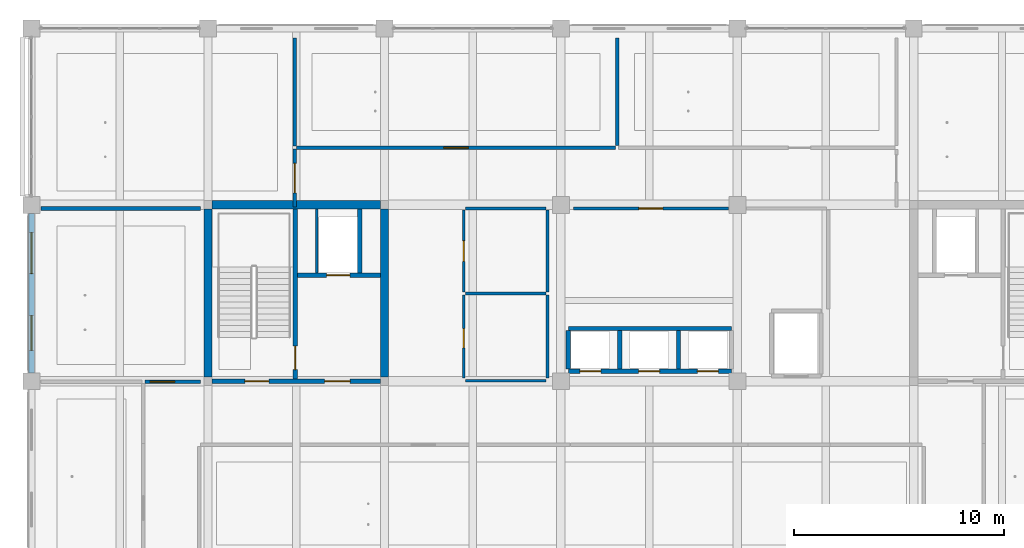
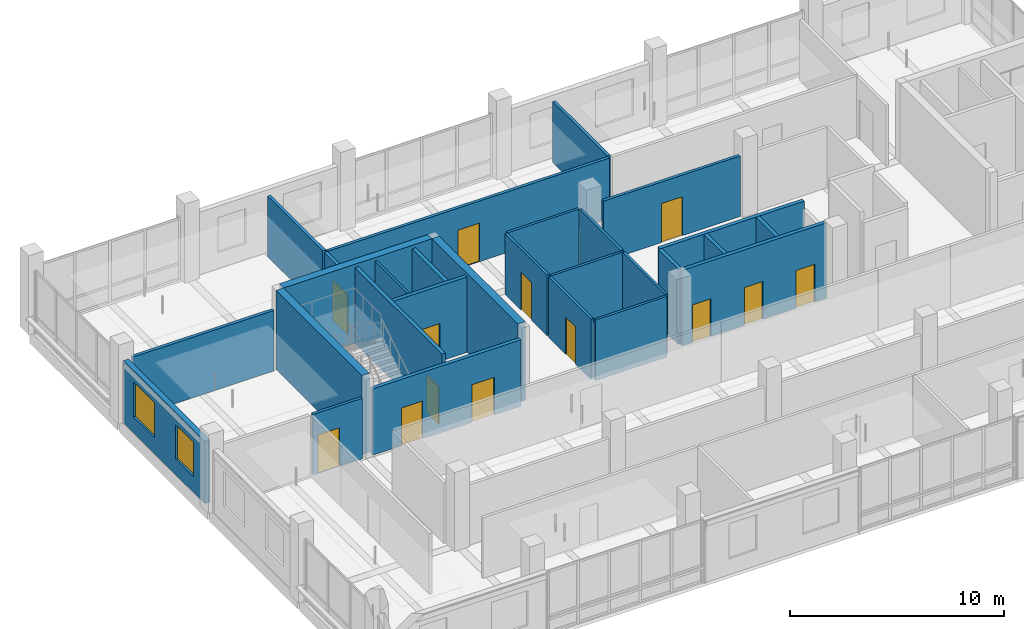
# One storey, part 12 of 34: 28 walls, 13 doors, 2 windows, 15 openings.
"""IFC4 building model written with IfcOpenShell, lengths in metres."""

from ifc_helpers import new_model, si_unit, direction, frame, frame_2d, origin, place, context, subcontext, project, spatial, rectangle, extrude, material, layer, layer_set, type_object, element, fill, save


model = new_model("IFC4")

# Units and contexts
model_context = context("Model", 3, precision=1e-05, world=origin(), true_north=direction((0.0, 1.0)))
body_context = subcontext(model_context, "Body", "Model", "MODEL_VIEW")
ifc_project = project(units=[si_unit("LENGTHUNIT", "METRE"), si_unit("AREAUNIT", "SQUARE_METRE"), si_unit("VOLUMEUNIT", "CUBIC_METRE"), si_unit("PLANEANGLEUNIT", "RADIAN"), si_unit("MASSUNIT", "GRAM", prefix="KILO")], contexts=[model_context])

# Site, building, storey
site_placement = place(None, origin())
site = spatial("IfcSite", under=ifc_project, at=site_placement, CompositionType="ELEMENT")
building_placement = place(site_placement, origin())
building = spatial("IfcBuilding", under=site, at=building_placement, Name="Telukmera Botanical Conservatory", CompositionType="ELEMENT")
storey_placement = place(building_placement, frame((0.0, 0.0, 37.5)))
storey = spatial("IfcBuildingStorey", under=building, at=storey_placement, Name="L08", CompositionType="ELEMENT", Elevation=37.5)

# Wall, openings, windows
ifc_material_1 = material(Name="Precast concrete C40/50", Category="concrete")
ifc_layer_1 = layer(ifc_material_1, 0.280029296875)
ifc_layer_set_1 = layer_set([ifc_layer_1], Name="Precast concrete C40/50")
wall_type_1 = type_object("IfcWallType", Name="Exterior Laboratory Modular Precast Wall 280", PredefinedType="ELEMENTEDWALL", material=ifc_layer_set_1)
wall_1_placement = place(storey_placement, frame((50.39990234375, 26.402099609375, 0.0), z_axis=(0.0, 0.0, 1.0), x_axis=(0.0, 1.0, 0.0)))
wall_1 = element("IfcWall", 1, at=wall_1_placement, inside=storey, type_object=wall_type_1, Name="Exterior Precast Wall EW06 V4:L08:W3", PredefinedType="ELEMENTEDWALL", context=body_context, shape_type="SweptSolid", body=[
    extrude(rectangle(XDim=7.595947265625, YDim=0.280029296875, at=frame_2d((3.7978515625, 0.0))), origin(), (0.0, 0.0, 1.0), 3.550048828125),
])
opening_1_placement = place(wall_1_placement, frame((1.073974609375, 0.0, 0.89990234375)))
opening_1 = element("IfcOpeningElement", 2, at=opening_1_placement, cuts=wall_1, Name="Opening W10", PredefinedType="OPENING", context=body_context, shape_type="SweptSolid", body=[
    extrude(rectangle(XDim=1.64990234375, YDim=1.949951171875, at=frame_2d((0.824951171875, 0.97509765625))), frame((0.0, 0.14990234375, 0.0), z_axis=(0.0, -1.0, 0.0), x_axis=(1.0, 0.0, 0.0)), (0.0, 0.0, 1.0), 0.300048828125),
])
opening_2_placement = place(wall_1_placement, frame((4.721923828125, 0.0, 0.89990234375)))
opening_2 = element("IfcOpeningElement", 3, at=opening_2_placement, cuts=wall_1, Name="Opening W13", PredefinedType="OPENING", context=body_context, shape_type="SweptSolid", body=[
    extrude(rectangle(XDim=1.949951171875, YDim=2.0, at=frame_2d((0.97509765625, 1.0))), frame((0.0, 0.14990234375, 0.0), z_axis=(0.0, -1.0, 0.0), x_axis=(1.0, 0.0, 0.0)), (0.0, 0.0, 1.0), 0.300048828125),
])
ifc_material_2 = material(Name="Thermally broken anodised aluminium frame with low-E double glazing", Category="aluminium")
window_type_1 = type_object("IfcWindowType", Name="Double Horizontal Phytochemistry Lab Window 1650x1950", PartitioningType="DOUBLE_PANEL_HORIZONTAL", PredefinedType="WINDOW", material=ifc_material_2)
window_1_placement = place(opening_1_placement, origin())
window_1 = element("IfcWindow", 4, at=window_1_placement, inside=storey, type_object=window_type_1, Name="Facade Window W10 V4:L08:W3 1", OverallHeight=1.949951171875, OverallWidth=1.64990234375, PartitioningType="DOUBLE_PANEL_HORIZONTAL", PredefinedType="WINDOW", context=body_context, shape_type="SweptSolid", body=[
    extrude(rectangle(XDim=1.64990234375, YDim=1.949951171875, at=frame_2d((0.824951171875, 0.97509765625))), frame((0.0, 0.030029296875, 0.0), z_axis=(0.0, -1.0, 0.0), x_axis=(1.0, 0.0, 0.0)), (0.0, 0.0, 1.0), 0.06005859375),
])
fill(opening_1, window_1)
window_type_2 = type_object("IfcWindowType", Name="Triple Vertical Tissue Culture Lab Window 1950x2000", PartitioningType="TRIPLE_PANEL_VERTICAL", PredefinedType="WINDOW", material=ifc_material_2)
window_2_placement = place(opening_2_placement, origin())
window_2 = element("IfcWindow", 5, at=window_2_placement, inside=storey, type_object=window_type_2, Name="Facade Window W13 V4:L08:W3 2", OverallHeight=2.0, OverallWidth=1.949951171875, PartitioningType="TRIPLE_PANEL_VERTICAL", PredefinedType="WINDOW", context=body_context, shape_type="SweptSolid", body=[
    extrude(rectangle(XDim=1.949951171875, YDim=2.0, at=frame_2d((0.97509765625, 1.0))), frame((0.0, 0.030029296875, 0.0), z_axis=(0.0, -1.0, 0.0), x_axis=(1.0, 0.0, 0.0)), (0.0, 0.0, 1.0), 0.06005859375),
])
fill(opening_2, window_2)

# Wall, openings, doors
ifc_material_3 = material(Name="Concrete C40/50", Category="concrete")
ifc_layer_2 = layer(ifc_material_3, 0.199951171875)
ifc_layer_set_2 = layer_set([ifc_layer_2], Name="Concrete C40/50")
wall_type_2 = type_object("IfcWallType", Name="WT-CORE-200", PredefinedType="SOLIDWALL", material=ifc_layer_set_2)
wall_2_placement = place(storey_placement, frame((59.0, 26.0, 0.0), z_axis=(0.0, 0.0, 1.0), x_axis=(1.0, 0.0, 0.0)))
wall_2 = element("IfcWall", 6, at=wall_2_placement, inside=storey, type_object=wall_type_2, Name="L08 Core C1 South Fire Wall", PredefinedType="SOLIDWALL", context=body_context, shape_type="SweptSolid", body=[
    extrude(rectangle(XDim=8.0, YDim=0.199951171875, at=frame_2d((4.0, 0.0))), origin(), (0.0, 0.0, 1.0), 3.780029296875),
])
opening_3_placement = place(wall_2_placement, frame((1.550048828125, 0.0, 0.0)))
opening_3 = element("IfcOpeningElement", 7, at=opening_3_placement, cuts=wall_2, Name="Opening FD60A", PredefinedType="OPENING", context=body_context, shape_type="SweptSolid", body=[
    extrude(rectangle(XDim=1.14990234375, YDim=2.14990234375, at=frame_2d((0.574951171875, 1.074951171875))), frame((0.0, 0.10986328125, 0.0), z_axis=(0.0, -1.0, 0.0), x_axis=(1.0, 0.0, 0.0)), (0.0, 0.0, 1.0), 0.219970703125),
])
opening_4_placement = place(wall_2_placement, frame((5.35009765625, 0.0, 0.0)))
opening_4 = element("IfcOpeningElement", 8, at=opening_4_placement, cuts=wall_2, Name="Opening FD60C", PredefinedType="OPENING", context=body_context, shape_type="SweptSolid", body=[
    extrude(rectangle(XDim=1.219970703125, YDim=2.14990234375, at=frame_2d((0.60986328125, 1.074951171875))), frame((0.0, 0.10986328125, 0.0), z_axis=(0.0, -1.0, 0.0), x_axis=(1.0, 0.0, 0.0)), (0.0, 0.0, 1.0), 0.219970703125),
])
ifc_material_4 = material(Name="Hardwood fire door", Category="wood")
door_type_1 = type_object("IfcDoorType", Name="DT-FD60-01", OperationType="NOTDEFINED", PredefinedType="DOOR", material=ifc_material_4)
door_1_placement = place(opening_3_placement, origin())
door_1 = element("IfcDoor", 9, at=door_1_placement, inside=storey, type_object=door_type_1, Name="L08 Stair ST1 Escape Door", OperationType="SINGLE_SWING_RIGHT", OverallHeight=2.14990234375, OverallWidth=1.14990234375, PredefinedType="DOOR", context=body_context, shape_type="SweptSolid", body=[
    extrude(rectangle(XDim=1.14990234375, YDim=2.14990234375, at=frame_2d((0.574951171875, 1.074951171875))), frame((0.0, 0.02490234375, 0.0), z_axis=(0.0, -1.0, 0.0), x_axis=(1.0, 0.0, 0.0)), (0.0, 0.0, 1.0), 0.050048828125),
])
fill(opening_3, door_1)
door_type_2 = type_object("IfcDoorType", Name="DT-FD60-03", OperationType="NOTDEFINED", PredefinedType="DOOR", material=ifc_material_4)
door_2_placement = place(opening_4_placement, origin())
door_2 = element("IfcDoor", 10, at=door_2_placement, inside=storey, type_object=door_type_2, Name="L08 Firefighting Lobby C1 Door", OperationType="SINGLE_SWING_LEFT", OverallHeight=2.14990234375, OverallWidth=1.219970703125, PredefinedType="DOOR", context=body_context, shape_type="SweptSolid", body=[
    extrude(rectangle(XDim=1.219970703125, YDim=2.14990234375, at=frame_2d((0.60986328125, 1.074951171875))), frame((0.0, 0.02490234375, 0.0), z_axis=(0.0, -1.0, 0.0), x_axis=(1.0, 0.0, 0.0)), (0.0, 0.0, 1.0), 0.050048828125),
])
fill(opening_4, door_2)

# Wall, opening, door
wall_3_placement = place(storey_placement, frame((62.949951171875, 26.10009765625, 0.0), z_axis=(0.0, 0.0, 1.0), x_axis=(0.0, 1.0, 0.0)))
wall_3 = element("IfcWall", 11, at=wall_3_placement, inside=storey, type_object=wall_type_2, Name="L08 Core C1 Stair-Lobby Wall", PredefinedType="SOLIDWALL", context=body_context, shape_type="SweptSolid", body=[
    extrude(rectangle(XDim=8.099853515625, YDim=0.199951171875, at=frame_2d((4.0498046875, 0.0))), origin(), (0.0, 0.0, 1.0), 4.300048828125),
])
opening_5_placement = place(wall_3_placement, frame((0.449951171875, 0.0, 0.0)))
opening_5 = element("IfcOpeningElement", 12, at=opening_5_placement, cuts=wall_3, Name="Opening FD60B", PredefinedType="OPENING", context=body_context, shape_type="SweptSolid", body=[
    extrude(rectangle(XDim=1.1201171875, YDim=2.14990234375, at=frame_2d((0.56005859375, 1.074951171875))), frame((0.0, 0.10986328125, 0.0), z_axis=(0.0, -1.0, 0.0), x_axis=(1.0, 0.0, 0.0)), (0.0, 0.0, 1.0), 0.219970703125),
])
door_type_3 = type_object("IfcDoorType", Name="DT-FD60-02", OperationType="NOTDEFINED", PredefinedType="DOOR", material=ifc_material_4)
door_3_placement = place(opening_5_placement, origin())
door_3 = element("IfcDoor", 13, at=door_3_placement, inside=storey, type_object=door_type_3, Name="L08 Firefighting Lobby C1 to ST1 Door", OperationType="SINGLE_SWING_RIGHT", OverallHeight=2.14990234375, OverallWidth=1.1201171875, PredefinedType="DOOR", context=body_context, shape_type="SweptSolid", body=[
    extrude(rectangle(XDim=1.1201171875, YDim=2.14990234375, at=frame_2d((0.56005859375, 1.074951171875))), frame((0.0, 0.02490234375, 0.0), z_axis=(0.0, -1.0, 0.0), x_axis=(1.0, 0.0, 0.0)), (0.0, 0.0, 1.0), 0.050048828125),
])
fill(opening_5, door_3)

wall_4_placement = place(storey_placement, frame((63.050048828125, 31.050048828125, 0.0), z_axis=(0.0, 0.0, 1.0), x_axis=(1.0, 0.0, 0.0)))
wall_4 = element("IfcWall", 14, at=wall_4_placement, inside=storey, type_object=wall_type_2, Name="L08 Fire Lift FL1 Shaft Front Wall", PredefinedType="SOLIDWALL", context=body_context, shape_type="SweptSolid", body=[
    extrude(rectangle(XDim=3.949951171875, YDim=0.199951171875, at=frame_2d((1.97509765625, 0.0))), origin(), (0.0, 0.0, 1.0), 4.300048828125),
])
opening_6_placement = place(wall_4_placement, frame((1.39990234375, 0.0, 0.0)))
opening_6 = element("IfcOpeningElement", 15, at=opening_6_placement, cuts=wall_4, Name="Opening LD01", PredefinedType="OPENING", context=body_context, shape_type="SweptSolid", body=[
    extrude(rectangle(XDim=1.10009765625, YDim=2.14990234375, at=frame_2d((0.550048828125, 1.074951171875))), frame((0.0, 0.10986328125, 0.0), z_axis=(0.0, -1.0, 0.0), x_axis=(1.0, 0.0, 0.0)), (0.0, 0.0, 1.0), 0.219970703125),
])
ifc_material_5 = material(Name="Stainless steel 316", Category="steel")
door_type_4 = type_object("IfcDoorType", Name="DT-LD01", OperationType="SLIDING_TO_LEFT", PredefinedType="DOOR", material=ifc_material_5)
door_4_placement = place(opening_6_placement, frame((1.10009765625, 0.0, 0.0), z_axis=(0.0, 0.0, 1.0), x_axis=(-1.0, 0.0, 0.0)))
door_4 = element("IfcDoor", 16, at=door_4_placement, inside=storey, type_object=door_type_4, Name="L08 Lift Landing Door FL1", OperationType="SLIDING_TO_LEFT", OverallHeight=2.14990234375, OverallWidth=1.10009765625, PredefinedType="DOOR", context=body_context, shape_type="SweptSolid", body=[
    extrude(rectangle(XDim=1.10009765625, YDim=2.14990234375, at=frame_2d((0.550048828125, 1.074951171875))), frame((0.0, 0.02490234375, 0.0), z_axis=(0.0, -1.0, 0.0), x_axis=(1.0, 0.0, 0.0)), (0.0, 0.0, 1.0), 0.050048828125),
])
fill(opening_6, door_4)

# Wall
wall_5_placement = place(storey_placement, frame((66.02001953125, 31.14990234375, 0.0), z_axis=(0.0, 0.0, 1.0), x_axis=(0.0, 1.0, 0.0)))
element("IfcWall", 17, at=wall_5_placement, inside=storey, type_object=wall_type_2, Name="L08 Fire Lift FL1 Shaft East Wall", PredefinedType="SOLIDWALL", context=body_context, shape_type="SweptSolid", body=[
    extrude(rectangle(XDim=3.050048828125, YDim=0.199951171875, at=frame_2d((1.52490234375, 0.0))), origin(), (0.0, 0.0, 1.0), 4.300048828125),
])

# Wall, openings, doors
wall_6_placement = place(storey_placement, frame((75.949951171875, 26.47998046875, 0.0), z_axis=(0.0, 0.0, 1.0), x_axis=(1.0, 0.0, 0.0)))
wall_6 = element("IfcWall", 18, at=wall_6_placement, inside=storey, type_object=wall_type_2, Name="L08 Passenger Lift Bank Front Wall", PredefinedType="SOLIDWALL", context=body_context, shape_type="SweptSolid", body=[
    extrude(rectangle(XDim=7.77001953125, YDim=0.199951171875, at=frame_2d((3.885009765625, 0.0))), origin(), (0.0, 0.0, 1.0), 4.300048828125),
])
opening_7_placement = place(wall_6_placement, frame((0.550048828125, 0.0, 0.0)))
opening_7 = element("IfcOpeningElement", 19, at=opening_7_placement, cuts=wall_6, Name="Opening LD03", PredefinedType="OPENING", context=body_context, shape_type="SweptSolid", body=[
    extrude(rectangle(XDim=1.0, YDim=2.14990234375, at=frame_2d((0.5, 1.074951171875))), frame((0.0, 0.10986328125, 0.0), z_axis=(0.0, -1.0, 0.0), x_axis=(1.0, 0.0, 0.0)), (0.0, 0.0, 1.0), 0.219970703125),
])
opening_8_placement = place(wall_6_placement, frame((3.35009765625, 0.0, 0.0)))
opening_8 = element("IfcOpeningElement", 20, at=opening_8_placement, cuts=wall_6, Name="Opening LD03", PredefinedType="OPENING", context=body_context, shape_type="SweptSolid", body=[
    extrude(rectangle(XDim=1.0, YDim=2.14990234375, at=frame_2d((0.5, 1.074951171875))), frame((0.0, 0.10986328125, 0.0), z_axis=(0.0, -1.0, 0.0), x_axis=(1.0, 0.0, 0.0)), (0.0, 0.0, 1.0), 0.219970703125),
])
opening_9_placement = place(wall_6_placement, frame((6.14990234375, 0.0, 0.0)))
opening_9 = element("IfcOpeningElement", 21, at=opening_9_placement, cuts=wall_6, Name="Opening LD03", PredefinedType="OPENING", context=body_context, shape_type="SweptSolid", body=[
    extrude(rectangle(XDim=1.0, YDim=2.14990234375, at=frame_2d((0.5, 1.074951171875))), frame((0.0, 0.10986328125, 0.0), z_axis=(0.0, -1.0, 0.0), x_axis=(1.0, 0.0, 0.0)), (0.0, 0.0, 1.0), 0.219970703125),
])
door_type_5 = type_object("IfcDoorType", Name="DT-LD03", OperationType="SLIDING_TO_LEFT", PredefinedType="DOOR", material=ifc_material_5)
door_5_placement = place(opening_7_placement, frame((1.0, 0.0, 0.0), z_axis=(0.0, 0.0, 1.0), x_axis=(-1.0, 0.0, 0.0)))
door_5 = element("IfcDoor", 22, at=door_5_placement, inside=storey, type_object=door_type_5, Name="L08 Lift Landing Door PL1", OperationType="SLIDING_TO_LEFT", OverallHeight=2.14990234375, OverallWidth=1.0, PredefinedType="DOOR", context=body_context, shape_type="SweptSolid", body=[
    extrude(rectangle(XDim=1.0, YDim=2.14990234375, at=frame_2d((0.5, 1.074951171875))), frame((0.0, 0.02490234375, 0.0), z_axis=(0.0, -1.0, 0.0), x_axis=(1.0, 0.0, 0.0)), (0.0, 0.0, 1.0), 0.050048828125),
])
fill(opening_7, door_5)
door_6_placement = place(opening_8_placement, frame((1.0, 0.0, 0.0), z_axis=(0.0, 0.0, 1.0), x_axis=(-1.0, 0.0, 0.0)))
door_6 = element("IfcDoor", 23, at=door_6_placement, inside=storey, type_object=door_type_5, Name="L08 Lift Landing Door PL2", OperationType="SLIDING_TO_LEFT", OverallHeight=2.14990234375, OverallWidth=1.0, PredefinedType="DOOR", context=body_context, shape_type="SweptSolid", body=[
    extrude(rectangle(XDim=1.0, YDim=2.14990234375, at=frame_2d((0.5, 1.074951171875))), frame((0.0, 0.02490234375, 0.0), z_axis=(0.0, -1.0, 0.0), x_axis=(1.0, 0.0, 0.0)), (0.0, 0.0, 1.0), 0.050048828125),
])
fill(opening_8, door_6)
door_7_placement = place(opening_9_placement, frame((1.0, 0.0, 0.0), z_axis=(0.0, 0.0, 1.0), x_axis=(-1.0, 0.0, 0.0)))
door_7 = element("IfcDoor", 24, at=door_7_placement, inside=storey, type_object=door_type_5, Name="L08 Lift Landing Door PL3", OperationType="SLIDING_TO_LEFT", OverallHeight=2.14990234375, OverallWidth=1.0, PredefinedType="DOOR", context=body_context, shape_type="SweptSolid", body=[
    extrude(rectangle(XDim=1.0, YDim=2.14990234375, at=frame_2d((0.5, 1.074951171875))), frame((0.0, 0.02490234375, 0.0), z_axis=(0.0, -1.0, 0.0), x_axis=(1.0, 0.0, 0.0)), (0.0, 0.0, 1.0), 0.050048828125),
])
fill(opening_9, door_7)

# Walls
wall_7_placement = place(storey_placement, frame((75.949951171875, 28.52001953125, 0.0), z_axis=(0.0, 0.0, 1.0), x_axis=(1.0, 0.0, 0.0)))
element("IfcWall", 25, at=wall_7_placement, inside=storey, type_object=wall_type_2, Name="L08 Passenger Lift Bank Rear Wall", PredefinedType="SOLIDWALL", context=body_context, shape_type="SweptSolid", body=[
    extrude(rectangle(XDim=7.77001953125, YDim=0.199951171875, at=frame_2d((3.885009765625, 0.0))), origin(), (0.0, 0.0, 1.0), 4.300048828125),
])
for number, where, z_axis, x_axis, name in (
    (26, (75.949951171875, 26.580078125, 0.0), (0.0, 0.0, 1.0), (0.0, 1.0, 0.0), "L08 Passenger Lift Shaft Wall 1"),
    (27, (78.39990234375, 26.580078125, 0.0), (0.0, 0.0, 1.0), (0.0, 1.0, 0.0), "L08 Passenger Lift Shaft Wall 2"),
    (28, (81.199951171875, 26.580078125, 0.0), (0.0, 0.0, 1.0), (0.0, 1.0, 0.0), "L08 Passenger Lift Shaft Wall 3"),
):
    element("IfcWall", number, at=place(storey_placement, frame(where, z_axis=z_axis, x_axis=x_axis)), inside=storey, type_object=wall_type_2, Name=name, PredefinedType="SOLIDWALL", context=body_context, shape_type="SweptSolid", body=[
        extrude(rectangle(XDim=1.83984375, YDim=0.199951171875, at=frame_2d((0.919921875, 0.0))), origin(), (0.0, 0.0, 1.0), 4.300048828125),
    ])

# Wall, opening, door
ifc_material_6 = material(Name="Gypsum acoustic stud partition")
ifc_layer_3 = layer(ifc_material_6, 0.159912109375)
ifc_layer_set_3 = layer_set([ifc_layer_3], Name="Gypsum acoustic stud partition")
wall_type_3 = type_object("IfcWallType", Name="WT-LAB-160", PredefinedType="PARTITIONING", material=ifc_layer_set_3)
wall_8_placement = place(storey_placement, frame((76.199951171875, 34.22509765625, 0.0), z_axis=(0.0, 0.0, 1.0), x_axis=(1.0, 0.0, 0.0)))
wall_8 = element("IfcWall", 29, at=wall_8_placement, inside=storey, type_object=wall_type_3, Name="L08 Interior Partition 07", PredefinedType="PARTITIONING", context=body_context, shape_type="SweptSolid", body=[
    extrude(rectangle(XDim=7.3701171875, YDim=0.159912109375, at=frame_2d((3.68505859375, 0.0))), origin(), (0.0, 0.0, 1.0), 3.449951171875),
])
opening_10_placement = place(wall_8_placement, frame((3.114990234375, 0.0, 0.0)))
opening_10 = element("IfcOpeningElement", 30, at=opening_10_placement, cuts=wall_8, Name="Opening ID10", PredefinedType="OPENING", context=body_context, shape_type="SweptSolid", body=[
    extrude(rectangle(XDim=1.139892578125, YDim=2.219970703125, at=frame_2d((0.56982421875, 1.10986328125))), frame((0.0, 0.08984375, 0.0), z_axis=(0.0, -1.0, 0.0), x_axis=(1.0, 0.0, 0.0)), (0.0, 0.0, 1.0), 0.179931640625),
])
ifc_material_7 = material(Name="Sealed steel herbarium door", Category="steel")
door_type_6 = type_object("IfcDoorType", Name="DT-HERB-114", OperationType="NOTDEFINED", PredefinedType="DOOR", material=ifc_material_7)
door_8_placement = place(opening_10_placement, frame((1.139892578125, 0.0, 0.0), z_axis=(0.0, 0.0, 1.0), x_axis=(-1.0, 0.0, 0.0)))
door_8 = element("IfcDoor", 31, at=door_8_placement, inside=storey, type_object=door_type_6, Name="L08 Cold Storage Germplasm Room Door", OperationType="SINGLE_SWING_LEFT", OverallHeight=2.219970703125, OverallWidth=1.139892578125, PredefinedType="DOOR", context=body_context, shape_type="SweptSolid", body=[
    extrude(rectangle(XDim=1.139892578125, YDim=2.219970703125, at=frame_2d((0.56982421875, 1.10986328125))), frame((0.0, 0.02490234375, 0.0), z_axis=(0.0, -1.0, 0.0), x_axis=(1.0, 0.0, 0.0)), (0.0, 0.0, 1.0), 0.050048828125),
])
fill(opening_10, door_8)

wall_9_placement = place(storey_placement, frame((55.800048828125, 25.97509765625, 0.0), z_axis=(0.0, 0.0, 1.0), x_axis=(1.0, 0.0, 0.0)))
wall_9 = element("IfcWall", 32, at=wall_9_placement, inside=storey, type_object=wall_type_3, Name="L08 Interior Partition 09", PredefinedType="PARTITIONING", context=body_context, shape_type="SweptSolid", body=[
    extrude(rectangle(XDim=2.64990234375, YDim=0.159912109375, at=frame_2d((1.324951171875, 0.0))), origin(), (0.0, 0.0, 1.0), 3.449951171875),
])
opening_11_placement = place(wall_9_placement, frame((0.25, 0.0, 0.0)))
opening_11 = element("IfcOpeningElement", 33, at=opening_11_placement, cuts=wall_9, Name="Opening ID09", PredefinedType="OPENING", context=body_context, shape_type="SweptSolid", body=[
    extrude(rectangle(XDim=1.159912109375, YDim=2.199951171875, at=frame_2d((0.580078125, 1.10009765625))), frame((0.0, 0.08984375, 0.0), z_axis=(0.0, -1.0, 0.0), x_axis=(1.0, 0.0, 0.0)), (0.0, 0.0, 1.0), 0.179931640625),
])
ifc_material_8 = material(Name="Phenolic faced laboratory fire door")
door_type_7 = type_object("IfcDoorType", Name="DT-LAB-116", OperationType="NOTDEFINED", PredefinedType="DOOR", material=ifc_material_8)
door_9_placement = place(opening_11_placement, origin())
door_9 = element("IfcDoor", 34, at=door_9_placement, inside=storey, type_object=door_type_7, Name="L08 Genomics Sequencing Laboratory Door", OperationType="SINGLE_SWING_RIGHT", OverallHeight=2.199951171875, OverallWidth=1.159912109375, PredefinedType="DOOR", context=body_context, shape_type="SweptSolid", body=[
    extrude(rectangle(XDim=1.159912109375, YDim=2.199951171875, at=frame_2d((0.580078125, 1.10009765625))), frame((0.0, 0.02490234375, 0.0), z_axis=(0.0, -1.0, 0.0), x_axis=(1.0, 0.0, 0.0)), (0.0, 0.0, 1.0), 0.050048828125),
])
fill(opening_11, door_9)

wall_10_placement = place(storey_placement, frame((63.02001953125, 37.125, 0.0), z_axis=(0.0, 0.0, 1.0), x_axis=(1.0, 0.0, 0.0)))
wall_10 = element("IfcWall", 35, at=wall_10_placement, inside=storey, type_object=wall_type_3, Name="L08 Interior Partition 32", PredefinedType="PARTITIONING", context=body_context, shape_type="SweptSolid", body=[
    extrude(rectangle(XDim=15.179931640625, YDim=0.159912109375, at=frame_2d((7.58984375, 0.0))), origin(), (0.0, 0.0, 1.0), 3.449951171875),
])
opening_12_placement = place(wall_10_placement, frame((7.010009765625, 0.0, 0.0)))
opening_12 = element("IfcOpeningElement", 36, at=opening_12_placement, cuts=wall_10, Name="Opening ID09", PredefinedType="OPENING", context=body_context, shape_type="SweptSolid", body=[
    extrude(rectangle(XDim=1.159912109375, YDim=2.199951171875, at=frame_2d((0.580078125, 1.10009765625))), frame((0.0, 0.08984375, 0.0), z_axis=(0.0, -1.0, 0.0), x_axis=(1.0, 0.0, 0.0)), (0.0, 0.0, 1.0), 0.179931640625),
])
door_10_placement = place(opening_12_placement, origin())
door_10 = element("IfcDoor", 37, at=door_10_placement, inside=storey, type_object=door_type_7, Name="L08 Proteomics Research Laboratory Door", OperationType="SINGLE_SWING_RIGHT", OverallHeight=2.199951171875, OverallWidth=1.159912109375, PredefinedType="DOOR", context=body_context, shape_type="SweptSolid", body=[
    extrude(rectangle(XDim=1.159912109375, YDim=2.199951171875, at=frame_2d((0.580078125, 1.10009765625))), frame((0.0, 0.02490234375, 0.0), z_axis=(0.0, -1.0, 0.0), x_axis=(1.0, 0.0, 0.0)), (0.0, 0.0, 1.0), 0.050048828125),
])
fill(opening_12, door_10)

# Walls
wall_11_placement = place(storey_placement, frame((78.27490234375, 37.215087890625, 0.0), z_axis=(0.0, 0.0, 1.0), x_axis=(0.0, 1.0, 0.0)))
element("IfcWall", 38, at=wall_11_placement, inside=storey, type_object=wall_type_3, Name="L08 Interior Partition 36", PredefinedType="PARTITIONING", context=body_context, shape_type="SweptSolid", body=[
    extrude(rectangle(XDim=5.135009765625, YDim=0.159912109375, at=frame_2d((2.5673828125, 0.0))), origin(), (0.0, 0.0, 1.0), 3.449951171875),
])
ifc_material_9 = material(Name="Blockwork masonry", Category="masonry")
ifc_layer_4 = layer(ifc_material_9, 0.169921875)
ifc_layer_set_4 = layer_set([ifc_layer_4], Name="Blockwork masonry")
wall_type_4 = type_object("IfcWallType", Name="WT-PLANT-170", PredefinedType="PARTITIONING", material=ifc_layer_set_4)
wall_12_placement = place(storey_placement, frame((50.85009765625, 34.22509765625, 0.0), z_axis=(0.0, 0.0, 1.0), x_axis=(1.0, 0.0, 0.0)))
element("IfcWall", 39, at=wall_12_placement, inside=storey, type_object=wall_type_4, Name="L08 Interior Partition 11", PredefinedType="PARTITIONING", context=body_context, shape_type="SweptSolid", body=[
    extrude(rectangle(XDim=7.599853515625, YDim=0.169921875, at=frame_2d((3.7998046875, 0.0))), origin(), (0.0, 0.0, 1.0), 3.449951171875),
])

# Wall, opening, door
wall_13_placement = place(storey_placement, frame((62.925048828125, 34.300048828125, 0.0), z_axis=(0.0, 0.0, 1.0), x_axis=(0.0, 1.0, 0.0)))
wall_13 = element("IfcWall", 40, at=wall_13_placement, inside=storey, type_object=wall_type_4, Name="L08 Interior Partition 31", PredefinedType="PARTITIONING", context=body_context, shape_type="SweptSolid", body=[
    extrude(rectangle(XDim=2.75, YDim=0.169921875, at=frame_2d((1.375, 0.0))), origin(), (0.0, 0.0, 1.0), 3.449951171875),
])
opening_13_placement = place(wall_13_placement, frame((0.675048828125, 0.0, 0.0)))
opening_13 = element("IfcOpeningElement", 41, at=opening_13_placement, cuts=wall_13, Name="Opening ID05", PredefinedType="OPENING", context=body_context, shape_type="SweptSolid", body=[
    extrude(rectangle(XDim=1.39990234375, YDim=2.25, at=frame_2d((0.699951171875, 1.125))), frame((0.0, 0.094970703125, 0.0), z_axis=(0.0, -1.0, 0.0), x_axis=(1.0, 0.0, 0.0)), (0.0, 0.0, 1.0), 0.18994140625),
])
ifc_material_10 = material(Name="Louvred steel plant double door", Category="steel")
door_type_8 = type_object("IfcDoorType", Name="DT-PLANT-140", OperationType="NOTDEFINED", PredefinedType="DOOR", material=ifc_material_10)
door_11_placement = place(opening_13_placement, origin())
door_11 = element("IfcDoor", 42, at=door_11_placement, inside=storey, type_object=door_type_8, Name="L08 Plant Physiology Research Laboratory Door", OperationType="SINGLE_SWING_LEFT", OverallHeight=2.25, OverallWidth=1.39990234375, PredefinedType="DOOR", context=body_context, shape_type="SweptSolid", body=[
    extrude(rectangle(XDim=1.39990234375, YDim=2.25, at=frame_2d((0.699951171875, 1.125))), frame((0.0, 0.02490234375, 0.0), z_axis=(0.0, -1.0, 0.0), x_axis=(1.0, 0.0, 0.0)), (0.0, 0.0, 1.0), 0.050048828125),
])
fill(opening_13, door_11)

# Walls
wall_14_placement = place(storey_placement, frame((62.925048828125, 37.199951171875, 0.0), z_axis=(0.0, 0.0, 1.0), x_axis=(0.0, 1.0, 0.0)))
element("IfcWall", 43, at=wall_14_placement, inside=storey, type_object=wall_type_4, Name="L08 Interior Partition 35", PredefinedType="PARTITIONING", context=body_context, shape_type="SweptSolid", body=[
    extrude(rectangle(XDim=5.150146484375, YDim=0.169921875, at=frame_2d((2.5751953125, 0.0))), origin(), (0.0, 0.0, 1.0), 3.449951171875),
])
ifc_material_11 = material(Name="Gypsum shaftwall liner")
ifc_layer_5 = layer(ifc_material_11, 0.110107421875)
ifc_layer_set_5 = layer_set([ifc_layer_5], Name="Gypsum shaftwall liner")
wall_type_5 = type_object("IfcWallType", Name="WT-RISER-110", PredefinedType="PARTITIONING", material=ifc_layer_set_5)
wall_15_placement = place(storey_placement, frame((63.97998046875, 31.14990234375, 0.0), z_axis=(0.0, 0.0, 1.0), x_axis=(0.0, 1.0, 0.0)))
element("IfcWall", 44, at=wall_15_placement, inside=storey, type_object=wall_type_5, Name="L08 Wet Riser C1 Shaft Wall", PredefinedType="PARTITIONING", context=body_context, shape_type="SweptSolid", body=[
    extrude(rectangle(XDim=3.050048828125, YDim=0.110107421875, at=frame_2d((1.52490234375, 0.0))), origin(), (0.0, 0.0, 1.0), 4.300048828125),
])

# Wall, opening, door
ifc_material_12 = material(Name="Moisture-resistant blockwork", Category="masonry")
ifc_layer_6 = layer(ifc_material_12, 0.135009765625)
ifc_layer_set_6 = layer_set([ifc_layer_6], Name="Moisture-resistant blockwork")
wall_type_6 = type_object("IfcWallType", Name="WT-WC-135", PredefinedType="PARTITIONING", material=ifc_layer_set_6)
wall_16_placement = place(storey_placement, frame((70.97509765625, 26.14990234375, 0.0), z_axis=(0.0, 0.0, 1.0), x_axis=(0.0, 1.0, 0.0)))
wall_16 = element("IfcWall", 45, at=wall_16_placement, inside=storey, type_object=wall_type_6, Name="L08 Interior Partition 01", PredefinedType="PARTITIONING", context=body_context, shape_type="SweptSolid", body=[
    extrude(rectangle(XDim=3.9501953125, YDim=0.135009765625, at=frame_2d((1.97509765625, 0.0))), origin(), (0.0, 0.0, 1.0), 3.449951171875),
])
opening_14_placement = place(wall_16_placement, frame((1.440673828125, 0.0, 0.0)))
opening_14 = element("IfcOpeningElement", 46, at=opening_14_placement, cuts=wall_16, Name="Opening ID17", PredefinedType="OPENING", context=body_context, shape_type="SweptSolid", body=[
    extrude(rectangle(XDim=0.919921875, YDim=2.1201171875, at=frame_2d((0.4599609375, 1.06005859375))), frame((0.0, 0.077392578125, 0.0), z_axis=(0.0, -1.0, 0.0), x_axis=(1.0, 0.0, 0.0)), (0.0, 0.0, 1.0), 0.155029296875),
])
ifc_material_13 = material(Name="Moisture-resistant laminate WC door")
door_type_9 = type_object("IfcDoorType", Name="DT-WC-092", OperationType="NOTDEFINED", PredefinedType="DOOR", material=ifc_material_13)
door_12_placement = place(opening_14_placement, origin())
door_12 = element("IfcDoor", 47, at=door_12_placement, inside=storey, type_object=door_type_9, Name="L08 Public WC Door", OperationType="SINGLE_SWING_LEFT", OverallHeight=2.1201171875, OverallWidth=0.919921875, PredefinedType="DOOR", context=body_context, shape_type="SweptSolid", body=[
    extrude(rectangle(XDim=0.919921875, YDim=2.1201171875, at=frame_2d((0.4599609375, 1.06005859375))), frame((0.0, 0.02490234375, 0.0), z_axis=(0.0, -1.0, 0.0), x_axis=(1.0, 0.0, 0.0)), (0.0, 0.0, 1.0), 0.050048828125),
])
fill(opening_14, door_12)

wall_17_placement = place(storey_placement, frame((70.97509765625, 30.25, 0.0), z_axis=(0.0, 0.0, 1.0), x_axis=(0.0, 1.0, 0.0)))
wall_17 = element("IfcWall", 48, at=wall_17_placement, inside=storey, type_object=wall_type_6, Name="L08 Interior Partition 02", PredefinedType="PARTITIONING", context=body_context, shape_type="SweptSolid", body=[
    extrude(rectangle(XDim=3.89990234375, YDim=0.135009765625, at=frame_2d((1.949951171875, 0.0))), origin(), (0.0, 0.0, 1.0), 3.449951171875),
])
opening_15_placement = place(wall_17_placement, frame((1.4599609375, 0.0, 0.0)))
opening_15 = element("IfcOpeningElement", 49, at=opening_15_placement, cuts=wall_17, Name="Opening ID15", PredefinedType="OPENING", context=body_context, shape_type="SweptSolid", body=[
    extrude(rectangle(XDim=0.97998046875, YDim=2.14990234375, at=frame_2d((0.489990234375, 1.074951171875))), frame((0.0, 0.077392578125, 0.0), z_axis=(0.0, -1.0, 0.0), x_axis=(1.0, 0.0, 0.0)), (0.0, 0.0, 1.0), 0.155029296875),
])
ifc_material_14 = material(Name="Accessible sanitary laminate door")
door_type_10 = type_object("IfcDoorType", Name="DT-OKU-098", OperationType="NOTDEFINED", PredefinedType="DOOR", material=ifc_material_14)
door_13_placement = place(opening_15_placement, origin())
door_13 = element("IfcDoor", 50, at=door_13_placement, inside=storey, type_object=door_type_10, Name="L08 Accessible WC Door", OperationType="SINGLE_SWING_RIGHT", OverallHeight=2.14990234375, OverallWidth=0.97998046875, PredefinedType="DOOR", context=body_context, shape_type="SweptSolid", body=[
    extrude(rectangle(XDim=0.97998046875, YDim=2.14990234375, at=frame_2d((0.489990234375, 1.074951171875))), frame((0.0, 0.02490234375, 0.0), z_axis=(0.0, -1.0, 0.0), x_axis=(1.0, 0.0, 0.0)), (0.0, 0.0, 1.0), 0.050048828125),
])
fill(opening_15, door_13)

# Walls
for number, where, z_axis, x_axis, name in (
    (51, (71.050048828125, 30.175048828125, 0.0), (0.0, 0.0, 1.0), (1.0, 0.0, 0.0), "L08 Interior Partition 03"),
    (52, (71.050048828125, 26.02490234375, 0.0), (0.0, 0.0, 1.0), (1.0, 0.0, 0.0), "L08 Interior Partition 04"),
    (53, (71.050048828125, 34.22509765625, 0.0), (0.0, 0.0, 1.0), (1.0, 0.0, 0.0), "L08 Interior Partition 05"),
):
    element("IfcWall", number, at=place(storey_placement, frame(where, z_axis=z_axis, x_axis=x_axis)), inside=storey, type_object=wall_type_6, Name=name, PredefinedType="PARTITIONING", context=body_context, shape_type="SweptSolid", body=[
        extrude(rectangle(XDim=3.849853515625, YDim=0.135009765625, at=frame_2d((1.9248046875, 0.0))), origin(), (0.0, 0.0, 1.0), 3.449951171875),
    ])
wall_18_placement = place(storey_placement, frame((74.967529296875, 26.14990234375, 0.0), z_axis=(0.0, 0.0, 1.0), x_axis=(0.0, 1.0, 0.0)))
element("IfcWall", 54, at=wall_18_placement, inside=storey, type_object=wall_type_6, Name="L08 WC Enclosure Partition 01", PredefinedType="PARTITIONING", context=body_context, shape_type="SweptSolid", body=[
    extrude(rectangle(XDim=3.947509765625, YDim=0.135009765625, at=frame_2d((1.9736328125, 0.0))), origin(), (0.0, 0.0, 1.0), 3.449951171875),
])
wall_19_placement = place(storey_placement, frame((74.967529296875, 30.25244140625, 0.0), z_axis=(0.0, 0.0, 1.0), x_axis=(0.0, 1.0, 0.0)))
element("IfcWall", 55, at=wall_19_placement, inside=storey, type_object=wall_type_6, Name="L08 WC Enclosure Partition 02", PredefinedType="PARTITIONING", context=body_context, shape_type="SweptSolid", body=[
    extrude(rectangle(XDim=3.89501953125, YDim=0.135009765625, at=frame_2d((1.947509765625, 0.0))), origin(), (0.0, 0.0, 1.0), 3.449951171875),
])
ifc_material_15 = material(Name="Concrete C50/60", Category="concrete")
ifc_layer_7 = layer(ifc_material_15, 0.39990234375)
ifc_layer_set_7 = layer_set([ifc_layer_7], Name="Concrete C50/60")
wall_type_7 = type_object("IfcWallType", Name="Wall_CW1", PredefinedType="SHEAR", material=ifc_layer_set_7)
for number, where, z_axis, x_axis, name in (
    (56, (58.800048828125, 26.199951171875, 0.0), (0.0, 0.0, 1.0), (0.0, 1.0, 0.0), "Core C1 Shear Wall West L08"),
    (57, (67.199951171875, 26.199951171875, 0.0), (0.0, 0.0, 1.0), (0.0, 1.0, 0.0), "Core C1 Shear Wall East L08"),
    (58, (59.0, 34.39990234375, 0.0), (0.0, 0.0, 1.0), (1.0, 0.0, 0.0), "Core C1 Shear Wall North L08"),
):
    element("IfcWall", number, at=place(storey_placement, frame(where, z_axis=z_axis, x_axis=x_axis)), inside=storey, type_object=wall_type_7, Name=name, PredefinedType="SHEAR", context=body_context, shape_type="SweptSolid", body=[
        extrude(rectangle(XDim=8.0, YDim=0.39990234375, at=frame_2d((4.0, 0.0))), origin(), (0.0, 0.0, 1.0), 4.5),
    ])

save(model, "model.ifc")
